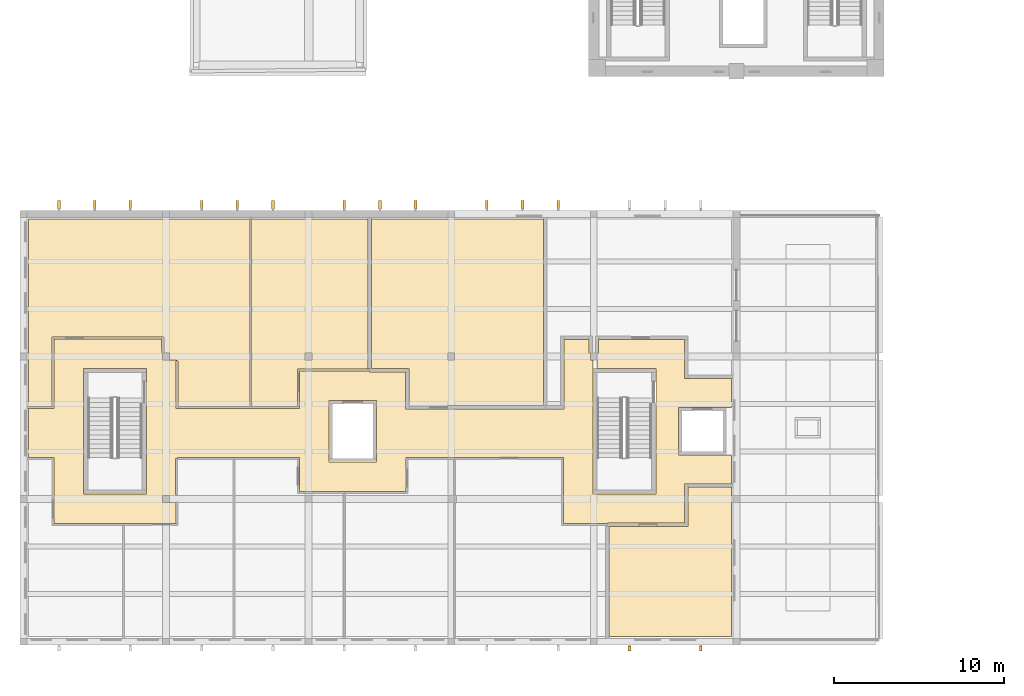
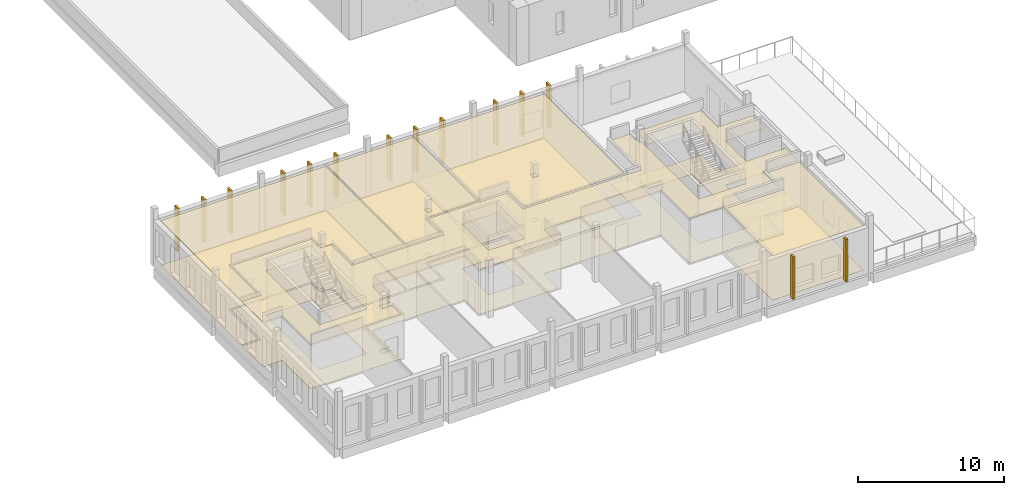
# One storey, part 58 of 79: 24 coverings.
"""IFC4 building model written with IfcOpenShell, lengths in metres."""

import ifcopenshell
import ifcopenshell.guid

model = None  # the IFC model being written
_history = None  # IfcOwnerHistory: only IFC2X3 demands one
_inside = {}  # id of a spatial element -> (the spatial element, [elements in it])
_under = {}  # id of a project, library or spatial element -> (it, [spatial elements below it])
_declared = {}  # id of a project -> (the project, [libraries it declares])
_typed = {}  # id of a type object -> (the type object, [elements of that type])
_made_of = {}  # id of a material, layer set ... -> (it, [elements and type objects made of it])


def new_model(schema):
    """Start an empty IFC model of exactly this schema.

    Asked for "IFC4X3", IfcOpenShell would pick the latest addendum, in which some entities
    have other attributes; the version numbers below select the first issue.
    IFC2X3 requires an IfcOwnerHistory on every rooted entity: one is made here for all.
    """
    global model, _history
    if schema == "IFC4X3":
        model = ifcopenshell.file(schema_version=(4, 3, 0, 0))
    else:
        model = ifcopenshell.file(schema=schema)
    _inside.clear()
    _under.clear()
    _declared.clear()
    _typed.clear()
    _made_of.clear()
    _history = None
    if model.schema == "IFC2X3":
        org = make("IfcOrganization", Name="unknown")
        user = make(
            "IfcPersonAndOrganization",
            ThePerson=make("IfcPerson", FamilyName="unknown"),
            TheOrganization=org,
        )
        app = make(
            "IfcApplication",
            ApplicationDeveloper=org,
            Version="unknown",
            ApplicationFullName="unknown",
            ApplicationIdentifier="unknown",
        )
        _history = make(
            "IfcOwnerHistory",
            OwningUser=user,
            OwningApplication=app,
            ChangeAction="ADDED",
            CreationDate=0,
        )
    return model


def make(cls, **values):
    """One entity of the class cls with the attributes given. An attribute that is None is left unset."""
    return model.create_entity(
        cls, **{name: value for name, value in values.items() if value is not None}
    )


def rooted(cls, **values):
    """An entity with a GlobalId (a new one), such as an element, a storey or a relation."""
    return make(cls, GlobalId=ifcopenshell.guid.new(), OwnerHistory=_history, **values)


def si_unit(unit_type, name, prefix=None):
    """IfcSIUnit, for example si_unit("LENGTHUNIT", "METRE", prefix="MILLI")."""
    return make("IfcSIUnit", UnitType=unit_type, Prefix=prefix, Name=name)


def assignment(units):
    """IfcUnitAssignment: the units of a project."""
    return None if units is None else make("IfcUnitAssignment", Units=units)


def point(xyz):
    """IfcCartesianPoint."""
    return None if xyz is None else make("IfcCartesianPoint", Coordinates=xyz)


def direction(xyz):
    """IfcDirection."""
    return None if xyz is None else make("IfcDirection", DirectionRatios=xyz)


def frame(location, z_axis=None, x_axis=None):
    """IfcAxis2Placement3D, a coordinate frame: its origin and axes. An axis left out is left unset."""
    return make(
        "IfcAxis2Placement3D",
        Location=point(location),
        Axis=direction(z_axis),
        RefDirection=direction(x_axis),
    )


def origin():
    """The frame at (0, 0, 0) with its axes left unset."""
    return frame((0.0, 0.0, 0.0))


def place(relative_to, where):
    """IfcLocalPlacement: puts the frame where relative to a parent placement (None: the world)."""
    return make(
        "IfcLocalPlacement", PlacementRelTo=relative_to, RelativePlacement=where
    )


def context(
    kind, dimensions, precision=None, world=None, true_north=None, identifier=None
):
    """IfcGeometricRepresentationContext, for example the 3D "Model" context."""
    return make(
        "IfcGeometricRepresentationContext",
        ContextIdentifier=identifier,
        ContextType=kind,
        CoordinateSpaceDimension=dimensions,
        Precision=precision,
        WorldCoordinateSystem=world,
        TrueNorth=true_north,
    )


def subcontext(parent, identifier, kind, view, scale=None):
    """IfcGeometricRepresentationSubContext, for example "Body" below "Model"."""
    return make(
        "IfcGeometricRepresentationSubContext",
        ContextIdentifier=identifier,
        ContextType=kind,
        ParentContext=parent,
        TargetScale=scale,
        TargetView=view,
    )


def project(units=None, contexts=None):
    """IfcProject with its units and contexts."""
    return rooted(
        "IfcProject",
        Name="project",
        RepresentationContexts=contexts,
        UnitsInContext=assignment(units),
    )


def spatial(cls, under=None, at=None, **own):
    """A site, building, storey or space (cls), placed at a placement, below another one or the project."""
    s = rooted(cls, ObjectPlacement=at, **own)
    if under is not None:
        _under.setdefault(under.id(), (under, []))[1].append(s)
    return s


def polyline(points):
    """IfcPolyline through the points."""
    return make("IfcPolyline", Points=[point(p) for p in points])


def outline(outer, holes=None, kind="AREA"):
    """IfcArbitraryClosedProfileDef: a profile drawn as a closed curve; with holes, ...WithVoids."""
    if holes is None:
        return make("IfcArbitraryClosedProfileDef", ProfileType=kind, OuterCurve=outer)
    return make(
        "IfcArbitraryProfileDefWithVoids",
        ProfileType=kind,
        OuterCurve=outer,
        InnerCurves=holes,
    )


def extrude(swept, where, along, depth):
    """IfcExtrudedAreaSolid: the profile swept, set in the frame where, extruded along a direction by depth."""
    return make(
        "IfcExtrudedAreaSolid",
        SweptArea=swept,
        Position=where,
        ExtrudedDirection=direction(along),
        Depth=depth,
    )


def shape(context_of_items, identifier, shape_type, items):
    """IfcShapeRepresentation: the items that make up one representation, for example the "Body"."""
    return make(
        "IfcShapeRepresentation",
        ContextOfItems=context_of_items,
        RepresentationIdentifier=identifier,
        RepresentationType=shape_type,
        Items=items,
    )


def material(Name=None, Category=None):
    """IfcMaterial."""
    return make("IfcMaterial", Name=Name, Category=Category)


def layer(
    of_material, thickness, ventilated=None, Name=None, Category=None, Priority=None
):
    """IfcMaterialLayer: one layer of a wall or slab, of a material (None: an air gap)."""
    return make(
        "IfcMaterialLayer",
        Material=of_material,
        LayerThickness=thickness,
        IsVentilated=ventilated,
        Name=Name,
        Category=Category,
        Priority=Priority,
    )


def layer_set(layers, Name=None):
    """IfcMaterialLayerSet."""
    return make("IfcMaterialLayerSet", MaterialLayers=layers, LayerSetName=Name)


def made_of(thing, what):
    """Note that an element or type object is made of a material, layer set ...; save() writes the relation."""
    if what is not None:
        _made_of.setdefault(what.id(), (what, []))[1].append(thing)
    return thing


def type_object(cls, material=None, **own):
    """A type object (cls), such as IfcWallType, which elements share."""
    return made_of(rooted(cls, **own), material)


def element(
    cls,
    number,
    at=None,
    inside=None,
    cuts=None,
    type_object=None,
    material=None,
    context=None,
    identifier="Body",
    shape_type=None,
    held_by="IfcProductDefinitionShape",
    body=None,
    shapes=None,
    **own,
):
    """One element of the class cls, such as IfcWall. Its Tag is "e" and its number.

    at: its placement. inside: the storey or other place that contains it. cuts: it is an
    opening in that element (IfcRelVoidsElement). A single representation is given by context,
    identifier, shape_type and body (its items); several are given by shapes. held_by: the class
    of the entity that holds the representations. save() writes the other relations.
    """
    e = rooted(cls, Tag="e%d" % number, ObjectPlacement=at, **own)
    if body is not None:
        shapes = [shape(context, identifier, shape_type, body)]
    if shapes is not None:
        e.Representation = make(held_by, Representations=shapes)
    if inside is not None:
        _inside.setdefault(inside.id(), (inside, []))[1].append(e)
    if cuts is not None:
        rooted(
            "IfcRelVoidsElement", RelatingBuildingElement=cuts, RelatedOpeningElement=e
        )
    if type_object is not None:
        _typed.setdefault(type_object.id(), (type_object, []))[1].append(e)
    return made_of(e, material)


def aggregate(whole, parts):
    """IfcRelAggregates: a whole, such as a stair, and the parts it consists of."""
    return rooted("IfcRelAggregates", RelatingObject=whole, RelatedObjects=parts)


def save(model, path):
    """Write the relations noted so far, then the file.

    IfcRelAggregates (storeys below a building ...), IfcRelContainedInSpatialStructure (elements
    in a storey), IfcRelDefinesByType, IfcRelAssociatesMaterial and IfcRelDeclares: one each for
    every whole, place, type object, material and project.
    """
    for whole, parts in _under.values():
        aggregate(whole, parts)
    for where, things in _inside.values():
        rooted(
            "IfcRelContainedInSpatialStructure",
            RelatedElements=things,
            RelatingStructure=where,
        )
    for kind, things in _typed.values():
        rooted("IfcRelDefinesByType", RelatedObjects=things, RelatingType=kind)
    for what, things in _made_of.values():
        rooted("IfcRelAssociatesMaterial", RelatedObjects=things, RelatingMaterial=what)
    for by, libraries in _declared.values():
        rooted("IfcRelDeclares", RelatingContext=by, RelatedDefinitions=libraries)
    model.write(path)


model = new_model("IFC4")

# Units and contexts
model_context = context("Model", 3, precision=1e-05, world=origin(), true_north=direction((0.0, 1.0)))
body_context = subcontext(model_context, "Body", "Model", "MODEL_VIEW")
ifc_project = project(units=[si_unit("LENGTHUNIT", "METRE"), si_unit("AREAUNIT", "SQUARE_METRE"), si_unit("VOLUMEUNIT", "CUBIC_METRE"), si_unit("PLANEANGLEUNIT", "RADIAN"), si_unit("MASSUNIT", "GRAM", prefix="KILO")], contexts=[model_context])

# Site, building, storey
site_placement = place(None, origin())
site = spatial("IfcSite", under=ifc_project, at=site_placement, CompositionType="ELEMENT")
building_placement = place(site_placement, origin())
building = spatial("IfcBuilding", under=site, at=building_placement, Name="Larchfold Concert Hall", CompositionType="ELEMENT")
storey_placement = place(building_placement, frame((0.0, 0.0, 14.39990234375)))
storey = spatial("IfcBuildingStorey", under=building, at=storey_placement, Name="L03", CompositionType="ELEMENT", Elevation=14.39990234375)

# Coverings
ifc_material_1 = material(Name="Mineral fibre ceiling tile")
ifc_layer_1 = layer(ifc_material_1, 0.02001953125)
ifc_layer_set_1 = layer_set([ifc_layer_1], Name="Mineral fibre ceiling tile")
covering_type_1 = type_object("IfcCoveringType", Name="Ceiling mineral fibre tile 20", PredefinedType="CEILING", material=ifc_layer_set_1)
covering_1_placement = place(storey_placement, frame((0.0, 0.0, 3.72021484375)))
element("IfcCovering", 1, at=covering_1_placement, inside=storey, type_object=covering_type_1, Name="Ceiling Corridor 03", PredefinedType="CEILING", context=body_context, shape_type="SweptSolid", body=[
    extrude(outline(polyline([(8.74755859375, 18.489013671875), (8.74755859375, 18.4365234375), (2.41357421875, 18.4365234375), (2.41357421875, 14.33740234375), (0.900146484375, 14.33740234375), (0.900146484375, 11.46240234375), (2.41259765625, 11.46240234375), (2.41259765625, 7.5625), (9.58740234375, 7.5625), (9.58740234375, 8.810546875), (9.199951171875, 8.814453125), (9.199951171875, 8.800048828125), (8.800048828125, 8.800048828125), (8.800048828125, 9.199951171875), (9.199951171875, 9.199951171875), (9.199951171875, 9.18994140625), (9.649658203125, 9.18994140625), (9.649658203125, 9.282470703125), (9.5576171875, 9.282470703125), (9.5576171875, 11.40087890625), (9.68505859375, 11.40087890625), (9.68505859375, 11.46240234375), (16.862548828125, 11.46240234375), (16.862548828125, 9.46240234375), (23.137451171875, 9.46240234375), (23.137451171875, 11.46240234375), (32.41259765625, 11.46240234375), (32.41259765625, 7.5625), (35.0, 7.5625), (35.0, 7.60009765625), (39.5498046875, 7.60009765625), (39.5498046875, 9.89990234375), (42.300048828125, 9.900146484375), (42.300048828125, 11.592041015625), (39.199951171875, 11.60009765625), (39.199951171875, 14.39990234375), (42.300048828125, 14.407958984375), (42.300048828125, 16.098876953125), (39.548828125, 16.09912109375), (39.548828125, 18.39892578125), (34.489990234375, 18.39892578125), (34.489990234375, 18.4990234375), (34.48828125, 17.61962890625), (34.388427734375, 17.619873046875), (34.388427734375, 17.599853515625), (34.39990234375, 17.599853515625), (34.39990234375, 17.199951171875), (34.388427734375, 17.199951171875), (34.389892578125, 16.699951171875), (37.85009765625, 16.699951171875), (37.85009765625, 9.300048828125), (34.14990234375, 9.300048828125), (34.14990234375, 16.699951171875), (34.159912109375, 17.199951171875), (34.0, 17.199951171875), (34.0, 17.599853515625), (34.010009765625, 17.60009765625), (33.909912109375, 17.60009765625), (33.909912109375, 18.39892578125), (32.450927734375, 18.39892578125), (32.449951171875, 14.298828125), (23.099853515625, 14.299072265625), (23.098876953125, 16.4990234375), (20.97998046875, 16.4990234375), (20.97998046875, 16.53662109375), (16.863525390625, 16.53662109375), (16.863525390625, 16.59912109375), (16.862548828125, 14.33642578125), (9.58740234375, 14.33642578125), (9.58642578125, 17.1474609375), (9.6494140625, 17.1474609375), (9.6494140625, 17.2099609375), (9.199951171875, 17.21142578125), (9.199951171875, 17.199951171875), (8.800048828125, 17.199951171875), (8.800048828125, 17.599853515625), (8.8134765625, 17.599853515625), (8.8134765625, 17.619873046875), (8.75048828125, 17.61962890625), (8.74755859375, 18.489013671875)]), holes=[polyline([(21.39990234375, 11.199951171875), (18.60009765625, 11.199951171875), (18.60009765625, 14.800048828125), (21.39990234375, 14.800048828125), (21.39990234375, 11.199951171875)]), polyline([(7.85009765625, 9.300048828125), (4.14990234375, 9.300048828125), (4.14990234375, 16.699951171875), (7.842529296875, 16.699951171875), (7.85009765625, 16.696044921875), (7.85009765625, 9.300048828125)])]), origin(), (0.0, 0.0, 1.0), 0.02001953125),
])
ifc_material_2 = material(Name="Plasterboard ceiling lining")
ifc_layer_2 = layer(ifc_material_2, 0.030029296875)
ifc_layer_set_2 = layer_set([ifc_layer_2], Name="Plasterboard ceiling lining")
covering_type_2 = type_object("IfcCoveringType", Name="Ceiling suspended plasterboard 30", PredefinedType="CEILING", material=ifc_layer_set_2)
covering_2_placement = place(storey_placement, frame((0.0, 0.0, 3.710205078125)))
element("IfcCovering", 2, at=covering_2_placement, inside=storey, type_object=covering_type_2, Name="Ceiling Practice Room 01", PredefinedType="CEILING", context=body_context, shape_type="SweptSolid", body=[
    extrude(outline(polyline([(35.10009765625, 7.39990234375), (35.10009765625, 0.900146484375), (42.300048828125, 0.900146484375), (42.300048828125, 9.699951171875), (39.75, 9.699951171875), (39.75, 7.39990234375), (35.10009765625, 7.39990234375)])), origin(), (0.0, 0.0, 1.0), 0.030029296875),
])
covering_3_placement = place(storey_placement, frame((0.0, 0.0, 3.710205078125)))
element("IfcCovering", 3, at=covering_3_placement, inside=storey, type_object=covering_type_2, Name="Ceiling Open Plan Office", PredefinedType="CEILING", context=body_context, shape_type="SweptSolid", body=[
    extrude(outline(polyline([(8.872314453125, 18.561767578125), (8.87548828125, 17.6201171875), (8.78271484375, 17.619873046875), (8.78271484375, 17.583984375), (8.800048828125, 17.570556640625), (8.800048828125, 17.599853515625), (9.199951171875, 17.599853515625), (9.199951171875, 17.199951171875), (9.1630859375, 17.199951171875), (9.167236328125, 17.192138671875), (9.199951171875, 17.179931640625), (9.619384765625, 17.179931640625), (9.619384765625, 17.1474609375), (9.71142578125, 17.1474609375), (9.71240234375, 14.39990234375), (9.71240234375, 14.46142578125), (14.0, 14.46142578125), (13.949951171875, 14.465087890625), (13.949951171875, 25.5), (0.900146484375, 25.5), (0.900146484375, 14.46240234375), (2.28857421875, 14.46240234375), (2.28857421875, 18.5615234375), (8.872314453125, 18.561767578125)])), origin(), (0.0, 0.0, 1.0), 0.030029296875),
])
covering_4_placement = place(storey_placement, frame((0.0, 0.0, 3.710205078125)))
element("IfcCovering", 4, at=covering_4_placement, inside=storey, type_object=covering_type_2, Name="Ceiling Practice Room 02", PredefinedType="CEILING", context=body_context, shape_type="SweptSolid", body=[
    extrude(outline(polyline([(23.2998046875, 14.39990234375), (23.300048828125, 14.4990234375), (31.333251953125, 14.4990234375), (31.23291015625, 14.5), (31.23291015625, 25.5), (21.10009765625, 25.5), (21.10009765625, 16.699951171875), (21.0, 16.69921875), (23.299072265625, 16.69921875), (23.2998046875, 14.39990234375)]), holes=[polyline([(26.0, 17.599853515625), (26.0, 17.199951171875), (25.60009765625, 17.199951171875), (25.60009765625, 17.599853515625), (26.0, 17.599853515625)])]), origin(), (0.0, 0.0, 1.0), 0.030029296875),
])
covering_5_placement = place(storey_placement, frame((0.0, 0.0, 3.710205078125)))
element("IfcCovering", 5, at=covering_5_placement, inside=storey, type_object=covering_type_2, Name="Ceiling Meeting Room", PredefinedType="CEILING", context=body_context, shape_type="SweptSolid", body=[
    extrude(outline(polyline([(14.0, 14.46142578125), (16.737548828125, 14.46142578125), (16.738525390625, 16.66162109375), (20.97998046875, 16.66162109375), (20.97998046875, 16.69921875), (21.0, 16.69921875), (20.89990234375, 16.699951171875), (20.89990234375, 25.5), (14.050048828125, 25.5), (14.050048828125, 14.465087890625), (14.0, 14.46142578125)]), holes=[polyline([(17.199951171875, 17.599853515625), (17.599853515625, 17.599853515625), (17.599853515625, 17.199951171875), (17.199951171875, 17.199951171875), (17.199951171875, 17.599853515625)])]), origin(), (0.0, 0.0, 1.0), 0.030029296875),
])
ifc_material_3 = material(Name="Linoleum sheet")
ifc_layer_3 = layer(ifc_material_3, 0.02001953125)
ifc_layer_set_3 = layer_set([ifc_layer_3], Name="Linoleum sheet")
covering_type_3 = type_object("IfcCoveringType", Name="Floor finish vinyl 20", PredefinedType="FLOORING", material=ifc_layer_set_3)
covering_6_placement = place(storey_placement, origin())
element("IfcCovering", 6, at=covering_6_placement, inside=storey, type_object=covering_type_3, Name="Floor finish Practice Room 01", PredefinedType="FLOORING", context=body_context, shape_type="SweptSolid", body=[
    extrude(outline(polyline([(35.10009765625, 7.39990234375), (35.10009765625, 0.900146484375), (42.300048828125, 0.900146484375), (42.300048828125, 9.699951171875), (39.75, 9.699951171875), (39.75, 7.39990234375), (35.10009765625, 7.39990234375)])), origin(), (0.0, 0.0, 1.0), 0.02001953125),
])
covering_7_placement = place(storey_placement, origin())
element("IfcCovering", 7, at=covering_7_placement, inside=storey, type_object=covering_type_3, Name="Floor finish Corridor 03", PredefinedType="FLOORING", context=body_context, shape_type="SweptSolid", body=[
    extrude(outline(polyline([(8.74755859375, 18.489013671875), (8.74755859375, 18.4365234375), (2.41357421875, 18.4365234375), (2.41357421875, 14.33740234375), (0.900146484375, 14.33740234375), (0.900146484375, 11.46240234375), (2.41259765625, 11.46240234375), (2.41259765625, 7.5625), (9.58740234375, 7.5625), (9.58740234375, 8.810546875), (9.199951171875, 8.814453125), (9.199951171875, 8.800048828125), (8.800048828125, 8.800048828125), (8.800048828125, 9.199951171875), (9.199951171875, 9.199951171875), (9.199951171875, 9.18994140625), (9.649658203125, 9.18994140625), (9.649658203125, 9.282470703125), (9.5576171875, 9.282470703125), (9.5576171875, 11.40087890625), (9.68505859375, 11.40087890625), (9.68505859375, 11.46240234375), (16.862548828125, 11.46240234375), (16.862548828125, 9.46240234375), (23.137451171875, 9.46240234375), (23.137451171875, 11.46240234375), (32.41259765625, 11.46240234375), (32.41259765625, 7.5625), (35.0, 7.5625), (35.0, 7.60009765625), (39.5498046875, 7.60009765625), (39.5498046875, 9.89990234375), (42.300048828125, 9.900146484375), (42.300048828125, 11.592041015625), (39.199951171875, 11.60009765625), (39.199951171875, 14.39990234375), (42.300048828125, 14.407958984375), (42.300048828125, 16.098876953125), (39.548828125, 16.09912109375), (39.548828125, 18.39892578125), (34.489990234375, 18.39892578125), (34.489990234375, 18.4990234375), (34.48828125, 17.61962890625), (34.388427734375, 17.619873046875), (34.388427734375, 17.599853515625), (34.39990234375, 17.599853515625), (34.39990234375, 17.199951171875), (34.388427734375, 17.199951171875), (34.389892578125, 16.699951171875), (37.85009765625, 16.699951171875), (37.85009765625, 9.300048828125), (34.14990234375, 9.300048828125), (34.14990234375, 16.699951171875), (34.159912109375, 17.199951171875), (34.0, 17.199951171875), (34.0, 17.599853515625), (34.010009765625, 17.60009765625), (33.909912109375, 17.60009765625), (33.909912109375, 18.39892578125), (32.450927734375, 18.39892578125), (32.449951171875, 14.298828125), (23.099853515625, 14.299072265625), (23.098876953125, 16.4990234375), (20.97998046875, 16.4990234375), (20.97998046875, 16.53662109375), (16.863525390625, 16.53662109375), (16.863525390625, 16.59912109375), (16.862548828125, 14.33642578125), (9.58740234375, 14.33642578125), (9.58642578125, 17.1474609375), (9.6494140625, 17.1474609375), (9.6494140625, 17.2099609375), (9.199951171875, 17.21142578125), (9.199951171875, 17.199951171875), (8.800048828125, 17.199951171875), (8.800048828125, 17.599853515625), (8.8134765625, 17.599853515625), (8.8134765625, 17.619873046875), (8.75048828125, 17.61962890625), (8.74755859375, 18.489013671875)]), holes=[polyline([(21.39990234375, 11.199951171875), (18.60009765625, 11.199951171875), (18.60009765625, 14.800048828125), (21.39990234375, 14.800048828125), (21.39990234375, 11.199951171875)]), polyline([(7.85009765625, 9.300048828125), (4.14990234375, 9.300048828125), (4.14990234375, 16.699951171875), (7.842529296875, 16.699951171875), (7.85009765625, 16.696044921875), (7.85009765625, 9.300048828125)])]), origin(), (0.0, 0.0, 1.0), 0.02001953125),
])
covering_8_placement = place(storey_placement, origin())
element("IfcCovering", 8, at=covering_8_placement, inside=storey, type_object=covering_type_3, Name="Floor finish Open Plan Office", PredefinedType="FLOORING", context=body_context, shape_type="SweptSolid", body=[
    extrude(outline(polyline([(8.872314453125, 18.561767578125), (8.87548828125, 17.6201171875), (8.78271484375, 17.619873046875), (8.78271484375, 17.583984375), (8.800048828125, 17.570556640625), (8.800048828125, 17.599853515625), (9.199951171875, 17.599853515625), (9.199951171875, 17.199951171875), (9.1630859375, 17.199951171875), (9.167236328125, 17.192138671875), (9.199951171875, 17.179931640625), (9.619384765625, 17.179931640625), (9.619384765625, 17.1474609375), (9.71142578125, 17.1474609375), (9.71240234375, 14.39990234375), (9.71240234375, 14.46142578125), (14.0, 14.46142578125), (13.949951171875, 14.465087890625), (13.949951171875, 25.5), (0.900146484375, 25.5), (0.900146484375, 14.46240234375), (2.28857421875, 14.46240234375), (2.28857421875, 18.5615234375), (8.872314453125, 18.561767578125)])), origin(), (0.0, 0.0, 1.0), 0.02001953125),
])
covering_9_placement = place(storey_placement, origin())
element("IfcCovering", 9, at=covering_9_placement, inside=storey, type_object=covering_type_3, Name="Floor finish Practice Room 02", PredefinedType="FLOORING", context=body_context, shape_type="SweptSolid", body=[
    extrude(outline(polyline([(23.2998046875, 14.39990234375), (23.300048828125, 14.4990234375), (31.333251953125, 14.4990234375), (31.23291015625, 14.5), (31.23291015625, 25.5), (21.10009765625, 25.5), (21.10009765625, 16.699951171875), (21.0, 16.69921875), (23.299072265625, 16.69921875), (23.2998046875, 14.39990234375)]), holes=[polyline([(26.0, 17.599853515625), (26.0, 17.199951171875), (25.60009765625, 17.199951171875), (25.60009765625, 17.599853515625), (26.0, 17.599853515625)])]), origin(), (0.0, 0.0, 1.0), 0.02001953125),
])
covering_10_placement = place(storey_placement, origin())
element("IfcCovering", 10, at=covering_10_placement, inside=storey, type_object=covering_type_3, Name="Floor finish Meeting Room", PredefinedType="FLOORING", context=body_context, shape_type="SweptSolid", body=[
    extrude(outline(polyline([(14.0, 14.46142578125), (16.737548828125, 14.46142578125), (16.738525390625, 16.66162109375), (20.97998046875, 16.66162109375), (20.97998046875, 16.69921875), (21.0, 16.69921875), (20.89990234375, 16.699951171875), (20.89990234375, 25.5), (14.050048828125, 25.5), (14.050048828125, 14.465087890625), (14.0, 14.46142578125)]), holes=[polyline([(17.199951171875, 17.599853515625), (17.599853515625, 17.599853515625), (17.599853515625, 17.199951171875), (17.199951171875, 17.199951171875), (17.199951171875, 17.599853515625)])]), origin(), (0.0, 0.0, 1.0), 0.02001953125),
])
ifc_material_4 = material(Name="Glulam GL30c", Category="wood")
ifc_layer_4 = layer(ifc_material_4, 0.159912109375)
ifc_layer_set_4 = layer_set([ifc_layer_4], Name="Glulam GL30c")
covering_type_4 = type_object("IfcCoveringType", Name="Glulam fin 160x300", PredefinedType="CLADDING", material=ifc_layer_set_4)
covering_11_placement = place(storey_placement, frame((0.0, 0.0, 0.199951171875)))
element("IfcCovering", 11, at=covering_11_placement, inside=storey, type_object=covering_type_4, Name="Glulam fin FN-L03-024", PredefinedType="CLADDING", context=body_context, shape_type="SweptSolid", body=[
    extrude(outline(polyline([(36.3798828125, 0.050048828125), (36.3798828125, 0.35009765625), (36.219970703125, 0.35009765625), (36.219970703125, 0.050048828125), (36.3798828125, 0.050048828125)])), origin(), (0.0, 0.0, 1.0), 3.56005859375),
])
covering_12_placement = place(storey_placement, frame((0.0, 0.0, 0.199951171875)))
element("IfcCovering", 12, at=covering_12_placement, inside=storey, type_object=covering_type_4, Name="Glulam fin FN-L03-025", PredefinedType="CLADDING", context=body_context, shape_type="SweptSolid", body=[
    extrude(outline(polyline([(40.580078125, 0.050048828125), (40.580078125, 0.35009765625), (40.419921875, 0.35009765625), (40.419921875, 0.050048828125), (40.580078125, 0.050048828125)])), origin(), (0.0, 0.0, 1.0), 3.56005859375),
])
ifc_material_5 = material(Name="Glulam GL30c", Category="wood")
ifc_layer_5 = layer(ifc_material_5, 0.159912109375)
ifc_layer_set_5 = layer_set([ifc_layer_5], Name="Glulam GL30c")
covering_type_5 = type_object("IfcCoveringType", Name="Glulam fin 160x500", PredefinedType="CLADDING", material=ifc_layer_set_5)
covering_13_placement = place(storey_placement, frame((0.0, 0.0, 0.199951171875)))
element("IfcCovering", 13, at=covering_13_placement, inside=storey, type_object=covering_type_5, Name="Glulam fin FN-L03-004", PredefinedType="CLADDING", context=body_context, shape_type="SweptSolid", body=[
    extrude(outline(polyline([(27.97998046875, 26.10009765625), (27.97998046875, 26.60009765625), (27.820068359375, 26.60009765625), (27.820068359375, 26.10009765625), (27.97998046875, 26.10009765625)])), origin(), (0.0, 0.0, 1.0), 3.56005859375),
])
covering_14_placement = place(storey_placement, frame((0.0, 0.0, 0.199951171875)))
element("IfcCovering", 14, at=covering_14_placement, inside=storey, type_object=covering_type_5, Name="Glulam fin FN-L03-005", PredefinedType="CLADDING", context=body_context, shape_type="SweptSolid", body=[
    extrude(outline(polyline([(30.080078125, 26.10009765625), (30.080078125, 26.60009765625), (29.919921875, 26.60009765625), (29.919921875, 26.10009765625), (30.080078125, 26.10009765625)])), origin(), (0.0, 0.0, 1.0), 3.56005859375),
])
covering_15_placement = place(storey_placement, frame((0.0, 0.0, 0.199951171875)))
element("IfcCovering", 15, at=covering_15_placement, inside=storey, type_object=covering_type_5, Name="Glulam fin FN-L03-006", PredefinedType="CLADDING", context=body_context, shape_type="SweptSolid", body=[
    extrude(outline(polyline([(32.179931640625, 26.10009765625), (32.179931640625, 26.60009765625), (32.02001953125, 26.60009765625), (32.02001953125, 26.10009765625), (32.179931640625, 26.10009765625)])), origin(), (0.0, 0.0, 1.0), 3.56005859375),
])
covering_16_placement = place(storey_placement, frame((0.0, 0.0, 0.199951171875)))
element("IfcCovering", 16, at=covering_16_placement, inside=storey, type_object=covering_type_5, Name="Glulam fin FN-L03-007", PredefinedType="CLADDING", context=body_context, shape_type="SweptSolid", body=[
    extrude(outline(polyline([(19.580078125, 26.10009765625), (19.580078125, 26.60009765625), (19.419921875, 26.60009765625), (19.419921875, 26.10009765625), (19.580078125, 26.10009765625)])), origin(), (0.0, 0.0, 1.0), 3.56005859375),
])
covering_17_placement = place(storey_placement, frame((0.0, 0.0, 0.199951171875)))
element("IfcCovering", 17, at=covering_17_placement, inside=storey, type_object=covering_type_5, Name="Glulam fin FN-L03-008", PredefinedType="CLADDING", context=body_context, shape_type="SweptSolid", body=[
    extrude(outline(polyline([(21.679931640625, 26.10009765625), (21.679931640625, 26.60009765625), (21.52001953125, 26.60009765625), (21.52001953125, 26.10009765625), (21.679931640625, 26.10009765625)])), origin(), (0.0, 0.0, 1.0), 3.56005859375),
])
covering_18_placement = place(storey_placement, frame((0.0, 0.0, 0.199951171875)))
element("IfcCovering", 18, at=covering_18_placement, inside=storey, type_object=covering_type_5, Name="Glulam fin FN-L03-009", PredefinedType="CLADDING", context=body_context, shape_type="SweptSolid", body=[
    extrude(outline(polyline([(23.780029296875, 26.10009765625), (23.780029296875, 26.60009765625), (23.6201171875, 26.60009765625), (23.6201171875, 26.10009765625), (23.780029296875, 26.10009765625)])), origin(), (0.0, 0.0, 1.0), 3.56005859375),
])
covering_19_placement = place(storey_placement, frame((0.0, 0.0, 0.199951171875)))
element("IfcCovering", 19, at=covering_19_placement, inside=storey, type_object=covering_type_5, Name="Glulam fin FN-L03-010", PredefinedType="CLADDING", context=body_context, shape_type="SweptSolid", body=[
    extrude(outline(polyline([(11.179931640625, 26.10009765625), (11.179931640625, 26.60009765625), (11.02001953125, 26.60009765625), (11.02001953125, 26.10009765625), (11.179931640625, 26.10009765625)])), origin(), (0.0, 0.0, 1.0), 3.56005859375),
])
covering_20_placement = place(storey_placement, frame((0.0, 0.0, 0.199951171875)))
element("IfcCovering", 20, at=covering_20_placement, inside=storey, type_object=covering_type_5, Name="Glulam fin FN-L03-011", PredefinedType="CLADDING", context=body_context, shape_type="SweptSolid", body=[
    extrude(outline(polyline([(13.280029296875, 26.10009765625), (13.280029296875, 26.60009765625), (13.1201171875, 26.60009765625), (13.1201171875, 26.10009765625), (13.280029296875, 26.10009765625)])), origin(), (0.0, 0.0, 1.0), 3.56005859375),
])
covering_21_placement = place(storey_placement, frame((0.0, 0.0, 0.199951171875)))
element("IfcCovering", 21, at=covering_21_placement, inside=storey, type_object=covering_type_5, Name="Glulam fin FN-L03-012", PredefinedType="CLADDING", context=body_context, shape_type="SweptSolid", body=[
    extrude(outline(polyline([(15.3798828125, 26.10009765625), (15.3798828125, 26.60009765625), (15.219970703125, 26.60009765625), (15.219970703125, 26.10009765625), (15.3798828125, 26.10009765625)])), origin(), (0.0, 0.0, 1.0), 3.56005859375),
])
covering_22_placement = place(storey_placement, frame((0.0, 0.0, 0.199951171875)))
element("IfcCovering", 22, at=covering_22_placement, inside=storey, type_object=covering_type_5, Name="Glulam fin FN-L03-013", PredefinedType="CLADDING", context=body_context, shape_type="SweptSolid", body=[
    extrude(outline(polyline([(2.780029296875, 26.10009765625), (2.780029296875, 26.60009765625), (2.6201171875, 26.60009765625), (2.6201171875, 26.10009765625), (2.780029296875, 26.10009765625)])), origin(), (0.0, 0.0, 1.0), 3.56005859375),
])
covering_23_placement = place(storey_placement, frame((0.0, 0.0, 0.199951171875)))
element("IfcCovering", 23, at=covering_23_placement, inside=storey, type_object=covering_type_5, Name="Glulam fin FN-L03-014", PredefinedType="CLADDING", context=body_context, shape_type="SweptSolid", body=[
    extrude(outline(polyline([(4.8798828125, 26.10009765625), (4.8798828125, 26.60009765625), (4.719970703125, 26.60009765625), (4.719970703125, 26.10009765625), (4.8798828125, 26.10009765625)])), origin(), (0.0, 0.0, 1.0), 3.56005859375),
])
covering_24_placement = place(storey_placement, frame((0.0, 0.0, 0.199951171875)))
element("IfcCovering", 24, at=covering_24_placement, inside=storey, type_object=covering_type_5, Name="Glulam fin FN-L03-015", PredefinedType="CLADDING", context=body_context, shape_type="SweptSolid", body=[
    extrude(outline(polyline([(6.97998046875, 26.10009765625), (6.97998046875, 26.60009765625), (6.820068359375, 26.60009765625), (6.820068359375, 26.10009765625), (6.97998046875, 26.10009765625)])), origin(), (0.0, 0.0, 1.0), 3.56005859375),
])

save(model, "model.ifc")
